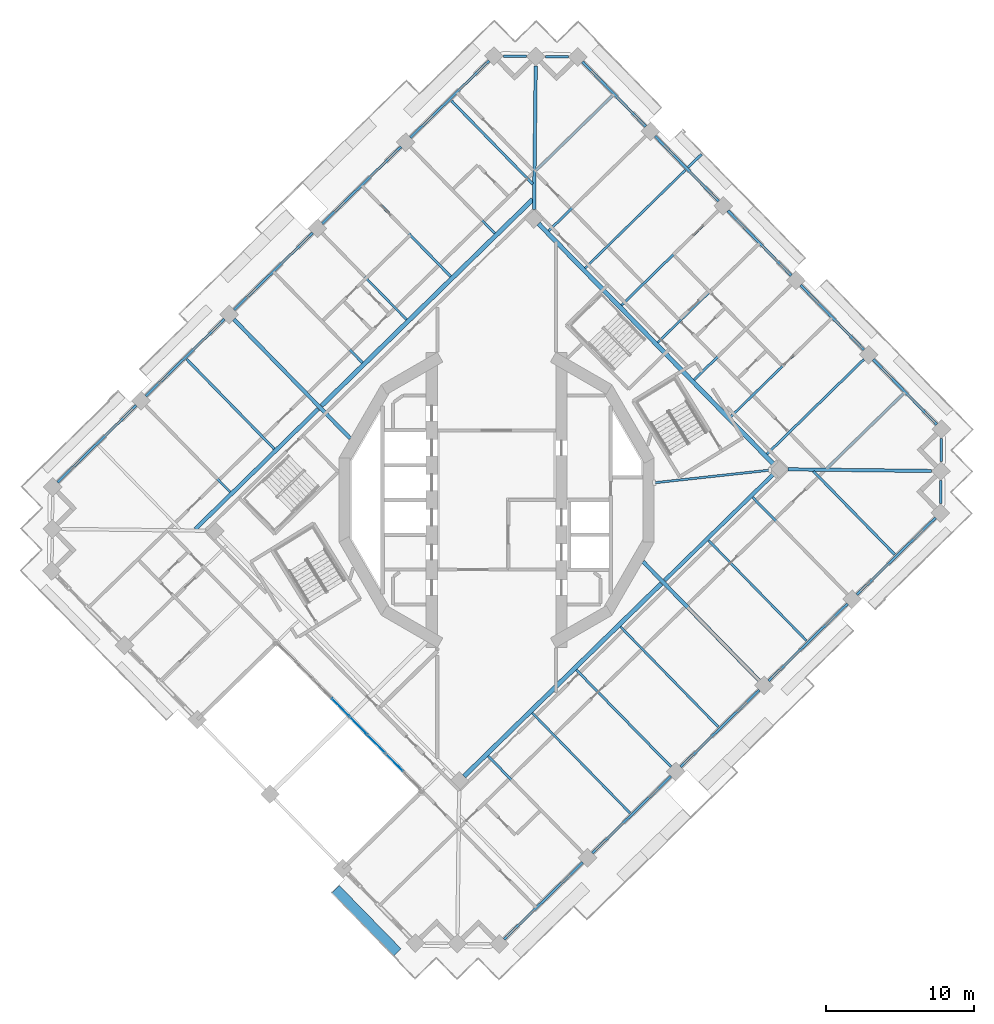
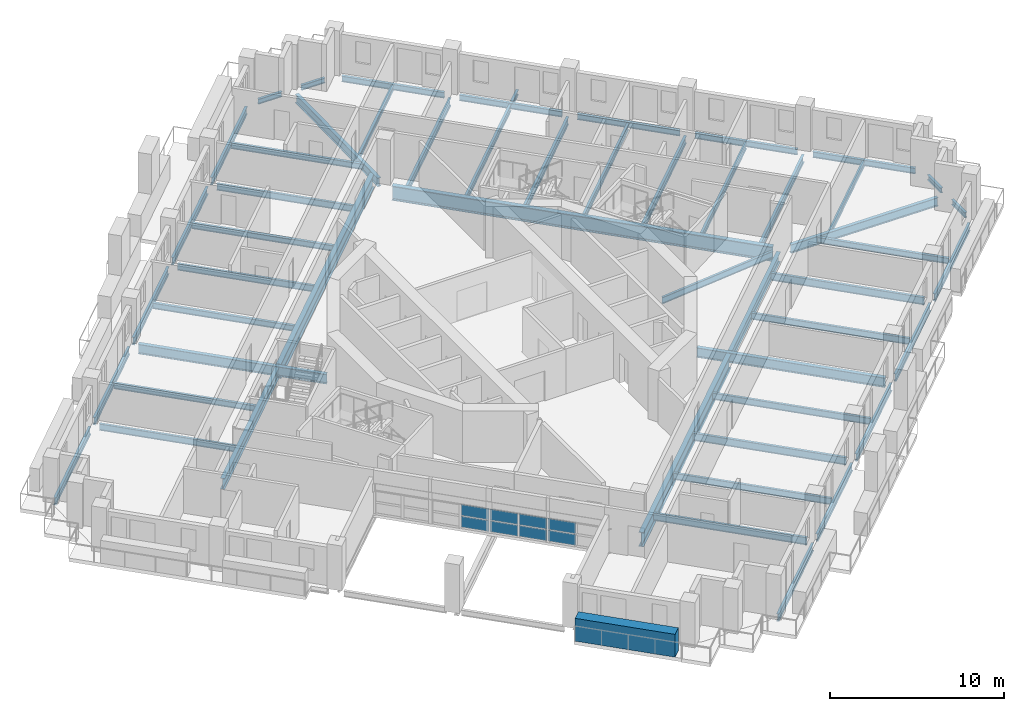
# One storey, part 4 of 19: 53 beams, 9 plates, 1 element without a shape of its own.
"""IFC4 building model written with IfcOpenShell, lengths in metres."""

from ifc_helpers import new_model, si_unit, direction, frame, origin, origin_2d, place, context, subcontext, project, spatial, rectangle, i_section, extrude, material, layer, layer_set, material_profile, profile_set, type_object, element, aggregate, save


model = new_model("IFC4")

# Units and contexts
model_context = context("Model", 3, precision=1e-05, world=origin(), true_north=direction((0.0, 1.0)))
body_context = subcontext(model_context, "Body", "Model", "MODEL_VIEW")
ifc_project = project(units=[si_unit("LENGTHUNIT", "METRE"), si_unit("AREAUNIT", "SQUARE_METRE"), si_unit("VOLUMEUNIT", "CUBIC_METRE"), si_unit("PLANEANGLEUNIT", "RADIAN"), si_unit("MASSUNIT", "GRAM", prefix="KILO")], contexts=[model_context])

# Site, building, storey
site_placement = place(None, origin())
site = spatial("IfcSite", under=ifc_project, at=site_placement, CompositionType="ELEMENT")
building_placement = place(site_placement, origin())
building = spatial("IfcBuilding", under=site, at=building_placement, Name="Cantera Rosa Tower", CompositionType="ELEMENT")
storey_placement = place(building_placement, frame((0.0, 0.0, 241.39990234375)))
storey = spatial("IfcBuildingStorey", under=building, at=storey_placement, Name="L53", CompositionType="ELEMENT", Elevation=241.39990234375)

# Beams
ifc_material_1 = material(Name="Steel ASTM A992 (Fy 345 MPa)", Category="steel")
ifc_material_profile_1 = material_profile(ifc_material_1, i_section(OverallWidth=0.302001953125, OverallDepth=1.010009765625, WebThickness=0.02099609375, FlangeThickness=0.0400390625, FilletRadius=0.030029296875, at=origin_2d()), Name="W1000X350")
ifc_profile_set_1 = profile_set([ifc_material_profile_1], Name="Steel ASTM A992 (Fy 345 MPa)")
beam_type_1 = type_object("IfcBeamType", Name="STEEL BEAM W1000X350", PredefinedType="BEAM", material=ifc_profile_set_1)
beam_1_placement = place(storey_placement, frame((-11.813232421875, 6.353271484375, -0.7548828125), z_axis=(0.715280810147, 0.698837150297, 0.0), x_axis=(-0.698837150297, 0.715280810147, 0.0)))
element("IfcBeam", 1, at=beam_1_placement, inside=storey, type_object=beam_type_1, Name="RB-Z4-02 L53", PredefinedType="BEAM", context=body_context, shape_type="SweptSolid", body=[
    extrude(i_section(OverallWidth=0.302001953125, OverallDepth=1.010009765625, WebThickness=0.02099609375, FlangeThickness=0.0400390625, FilletRadius=0.030029296875, at=origin_2d()), origin(), (0.0, 0.0, 1.0), 19.909912109375),
])
beam_2_placement = place(storey_placement, frame((-2.197021484375, -18.643310546875, -0.7548828125), z_axis=(0.715290925107, 0.698826797182, 0.0), x_axis=(-0.698826797182, 0.715290925107, 0.0)))
element("IfcBeam", 2, at=beam_2_placement, inside=storey, type_object=beam_type_1, Name="RB-Z4-03 L53", PredefinedType="BEAM", context=body_context, shape_type="SweptSolid", body=[
    extrude(i_section(OverallWidth=0.302001953125, OverallDepth=1.010009765625, WebThickness=0.02099609375, FlangeThickness=0.0400390625, FilletRadius=0.030029296875, at=origin_2d()), origin(), (0.0, 0.0, 1.0), 18.60986328125),
])
beam_3_placement = place(storey_placement, frame((18.69677734375, 2.39892578125, -0.7548828125), z_axis=(-0.698831294804, 0.715286530981, 0.0), x_axis=(-0.715286530981, -0.698831294804, 0.0)))
element("IfcBeam", 3, at=beam_3_placement, inside=storey, type_object=beam_type_1, Name="RB-Z4-05 L53", PredefinedType="BEAM", context=body_context, shape_type="SweptSolid", body=[
    extrude(i_section(OverallWidth=0.302001953125, OverallDepth=1.010009765625, WebThickness=0.02099609375, FlangeThickness=0.0400390625, FilletRadius=0.030029296875, at=origin_2d()), origin(), (0.0, 0.0, 1.0), 22.7001953125),
])
ifc_material_2 = material(Name="Steel ASTM A992 (Fy 345 MPa)", Category="steel")
ifc_material_profile_2 = material_profile(ifc_material_2, i_section(OverallWidth=0.154052734375, OverallDepth=0.4599609375, WebThickness=0.009033203125, FlangeThickness=0.015380859375, FilletRadius=0.01025390625, at=origin_2d()), Name="W460X68")
ifc_profile_set_2 = profile_set([ifc_material_profile_2], Name="Steel ASTM A992 (Fy 345 MPa)")
beam_type_2 = type_object("IfcBeamType", Name="STEEL BEAM W460X68", PredefinedType="BEAM", material=ifc_profile_set_2)
for number, where, z_axis, x_axis, name in (
    (4, (-5.818603515625, 23.81396484375, -0.47998046875), (0.698836133494, -0.715281803574, 0.0), (0.715281803574, 0.698836133494, 0.0), "G-Z4-05 L53"),
    (5, (-11.769775390625, 17.999755859375, -0.47998046875), (0.698836133494, -0.715281803574, 0.0), (0.715281803574, 0.698836133494, 0.0), "G-Z4-06 L53"),
    (6, (-23.672119140625, 6.37109375, -0.47998046875), (0.698836133494, -0.715281803574, 0.0), (0.715281803574, 0.698836133494, 0.0), "G-Z4-08 L53"),
):
    element("IfcBeam", number, at=place(storey_placement, frame(where, z_axis=z_axis, x_axis=x_axis)), inside=storey, type_object=beam_type_2, Name=name, PredefinedType="BEAM", context=body_context, shape_type="SweptSolid", body=[
        extrude(i_section(OverallWidth=0.154052734375, OverallDepth=0.4599609375, WebThickness=0.009033203125, FlangeThickness=0.015380859375, FilletRadius=0.01025390625, at=origin_2d()), origin(), (0.0, 0.0, 1.0), 8.150146484375),
    ])
beam_4_placement = place(storey_placement, frame((18.44287109375, 2.014892578125, -0.47998046875), z_axis=(-0.994086100692, -0.108594771563, 0.0), x_axis=(0.108594771563, -0.994086100692, 0.0)))
element("IfcBeam", 7, at=beam_4_placement, inside=storey, type_object=beam_type_2, Name="PG-Z4-01 L53", PredefinedType="BEAM", context=body_context, shape_type="SweptSolid", body=[
    extrude(i_section(OverallWidth=0.154052734375, OverallDepth=0.4599609375, WebThickness=0.009033203125, FlangeThickness=0.015380859375, FilletRadius=0.01025390625, at=origin_2d()), origin(), (0.0, 0.0, 1.0), 7.864013671875),
])
ifc_material_3 = material(Name="Steel ASTM A992 (Fy 345 MPa)", Category="steel")
ifc_material_profile_3 = material_profile(ifc_material_3, i_section(OverallWidth=0.166015625, OverallDepth=0.528076171875, WebThickness=0.009765625, FlangeThickness=0.013671875, FilletRadius=0.0126953125, at=origin_2d()), Name="W530X74")
ifc_profile_set_3 = profile_set([ifc_material_profile_3], Name="Steel ASTM A992 (Fy 345 MPa)")
beam_type_3 = type_object("IfcBeamType", Name="STEEL BEAM W530X74", PredefinedType="BEAM", material=ifc_profile_set_3)
for number, where, z_axis, x_axis, name in (
    (8, (24.77587890625, 9.484619140625, -0.513916015625), (-0.71529025682, -0.698827481213, 0.0), (0.698827481213, -0.71529025682, 0.0), "G-Z4-01 L53"),
    (9, (19.8701171875, 14.505859375, -0.513916015625), (-0.71529025682, -0.698827481213, 0.0), (0.698827481213, -0.71529025682, 0.0), "G-Z4-02 L53"),
    (10, (14.96435546875, 19.527099609375, -0.513916015625), (-0.71529025682, -0.698827481213, 0.0), (0.698827481213, -0.71529025682, 0.0), "G-Z4-03 L53"),
    (11, (10.05859375, 24.548583984375, -0.513916015625), (-0.71529025682, -0.698827481213, 0.0), (0.698827481213, -0.71529025682, 0.0), "G-Z4-04 L53"),
    (12, (5.818603515625, -23.81396484375, -0.513916015625), (-0.698827481213, 0.71529025682, 0.0), (-0.71529025682, -0.698827481213, 0.0), "G-Z4-09 L53"),
    (13, (11.769775390625, -17.999755859375, -0.513916015625), (-0.698827481213, 0.71529025682, 0.0), (-0.71529025682, -0.698827481213, 0.0), "G-Z4-10 L53"),
    (14, (23.672119140625, -6.37109375, -0.513916015625), (-0.698827481213, 0.71529025682, 0.0), (-0.71529025682, -0.698827481213, 0.0), "G-Z4-12 L53"),
):
    element("IfcBeam", number, at=place(storey_placement, frame(where, z_axis=z_axis, x_axis=x_axis)), inside=storey, type_object=beam_type_3, Name=name, PredefinedType="BEAM", context=body_context, shape_type="SweptSolid", body=[
        extrude(i_section(OverallWidth=0.166015625, OverallDepth=0.528076171875, WebThickness=0.009765625, FlangeThickness=0.013671875, FilletRadius=0.0126953125, at=origin_2d()), origin(), (0.0, 0.0, 1.0), 9.14990234375),
    ])
ifc_material_4 = material(Name="Steel ASTM A992 (Fy 345 MPa)", Category="steel")
ifc_material_profile_4 = material_profile(ifc_material_4, i_section(OverallWidth=0.22802734375, OverallDepth=0.60205078125, WebThickness=0.010498046875, FlangeThickness=0.014892578125, FilletRadius=0.0126953125, at=origin_2d()), Name="W610X101")
ifc_profile_set_4 = profile_set([ifc_material_profile_4], Name="Steel ASTM A992 (Fy 345 MPa)")
beam_type_4 = type_object("IfcBeamType", Name="STEEL BEAM W610X101", PredefinedType="BEAM", material=ifc_profile_set_4)
for number, where, z_axis, x_axis, name in (
    (15, (2.638916015625, 29.28076171875, -0.55078125), (-0.011618330597, -0.999932504919, 0.0), (0.999932504919, -0.011618330597, 0.0), "CB-Z4-01 L53"),
    (16, (29.334228515625, 1.95703125, -0.55078125), (-0.999932504919, 0.011618330597, 0.0), (-0.011618330597, -0.999932504919, 0.0), "CB-Z4-04 L53"),
):
    element("IfcBeam", number, at=place(storey_placement, frame(where, z_axis=z_axis, x_axis=x_axis)), inside=storey, type_object=beam_type_4, Name=name, PredefinedType="BEAM", context=body_context, shape_type="SweptSolid", body=[
        extrude(i_section(OverallWidth=0.22802734375, OverallDepth=0.60205078125, WebThickness=0.010498046875, FlangeThickness=0.014892578125, FilletRadius=0.0126953125, at=origin_2d()), origin(), (0.0, 0.0, 1.0), 9.687255859375),
    ])
ifc_material_5 = material(Name="Steel ASTM A992 (Fy 345 MPa)", Category="steel")
ifc_material_profile_5 = material_profile(ifc_material_5, i_section(OverallWidth=0.25390625, OverallDepth=0.677978515625, WebThickness=0.01171875, FlangeThickness=0.016357421875, FilletRadius=0.01513671875, at=origin_2d()), Name="W690X125")
ifc_profile_set_5 = profile_set([ifc_material_profile_5], Name="Steel ASTM A992 (Fy 345 MPa)")
beam_type_5 = type_object("IfcBeamType", Name="STEEL BEAM W690X125", PredefinedType="BEAM", material=ifc_profile_set_5)
for number, where, z_axis, x_axis, name in (
    (17, (-17.720947265625, 12.185302734375, -0.5888671875), (0.698831358516, -0.715286468734, 0.0), (0.715286468734, 0.698831358516, 0.0), "G-Z4-07 L53"),
    (18, (17.720947265625, -12.185302734375, -0.5888671875), (-0.698831358516, 0.715286468734, 0.0), (-0.715286468734, -0.698831358516, 0.0), "G-Z4-11 L53"),
):
    element("IfcBeam", number, at=place(storey_placement, frame(where, z_axis=z_axis, x_axis=x_axis)), inside=storey, type_object=beam_type_5, Name=name, PredefinedType="BEAM", context=body_context, shape_type="SweptSolid", body=[
        extrude(i_section(OverallWidth=0.25390625, OverallDepth=0.677978515625, WebThickness=0.01171875, FlangeThickness=0.016357421875, FilletRadius=0.01513671875, at=origin_2d()), origin(), (0.0, 0.0, 1.0), 11.2314453125),
    ])
beam_5_placement = place(storey_placement, frame((11.3291015625, -5.428466796875, -0.5888671875), z_axis=(0.715291776896, 0.698825925324, 0.0), x_axis=(-0.698825925324, 0.715291776896, 0.0)))
element("IfcBeam", 19, at=beam_5_placement, inside=storey, type_object=beam_type_5, Name="RB-Z4-04 L53", PredefinedType="BEAM", context=body_context, shape_type="SweptSolid", body=[
    extrude(i_section(OverallWidth=0.25390625, OverallDepth=0.677978515625, WebThickness=0.01171875, FlangeThickness=0.016357421875, FilletRadius=0.01513671875, at=origin_2d()), origin(), (0.0, 0.0, 1.0), 10.2900390625),
])
ifc_material_6 = material(Name="Steel ASTM A992 (Fy 345 MPa)", Category="steel")
ifc_material_profile_6 = material_profile(ifc_material_6, i_section(OverallWidth=0.26708984375, OverallDepth=0.75390625, WebThickness=0.01318359375, FlangeThickness=0.01708984375, FilletRadius=0.0166015625, at=origin_2d()), Name="W760X147")
ifc_profile_set_6 = profile_set([ifc_material_profile_6], Name="Steel ASTM A992 (Fy 345 MPa)")
beam_type_6 = type_object("IfcBeamType", Name="STEEL BEAM W760X147", PredefinedType="BEAM", material=ifc_profile_set_6)
beam_6_placement = place(storey_placement, frame((-20.318115234375, -1.955810546875, -0.626953125), z_axis=(0.715284592672, 0.698833278749, 0.0), x_axis=(-0.698833278749, 0.715284592672, 0.0)))
element("IfcBeam", 20, at=beam_6_placement, inside=storey, type_object=beam_type_6, Name="RB-Z4-01 L53", PredefinedType="BEAM", context=body_context, shape_type="SweptSolid", body=[
    extrude(i_section(OverallWidth=0.26708984375, OverallDepth=0.75390625, WebThickness=0.01318359375, FlangeThickness=0.01708984375, FilletRadius=0.0166015625, at=origin_2d()), origin(), (0.0, 0.0, 1.0), 11.590087890625),
])
ifc_material_7 = material(Name="Steel ASTM A992 (Fy 345 MPa)", Category="steel")
ifc_material_profile_7 = material_profile(ifc_material_7, i_section(OverallWidth=0.1708984375, OverallDepth=0.35595703125, WebThickness=0.00732421875, FlangeThickness=0.01171875, FilletRadius=0.010009765625, at=origin_2d()), Name="W360X51")
ifc_profile_set_7 = profile_set([ifc_material_profile_7], Name="Steel ASTM A992 (Fy 345 MPa)")
beam_type_7 = type_object("IfcBeamType", Name="STEEL JOIST W360X51", PredefinedType="JOIST", material=ifc_profile_set_7)
for number, where, z_axis, x_axis, name in (
    (21, (27.443359375, 7.18359375, -0.427978515625), (-0.715287213552, -0.69883059616, 0.0), (0.69883059616, -0.715287213552, 0.0), "B-Z4-01 L53"),
    (22, (7.8203125, 27.268798828125, -0.427978515625), (-0.715287213552, -0.69883059616, 0.0), (0.69883059616, -0.715287213552, 0.0), "B-Z4-05 L53"),
):
    element("IfcBeam", number, at=place(storey_placement, frame(where, z_axis=z_axis, x_axis=x_axis)), inside=storey, type_object=beam_type_7, Name=name, PredefinedType="JOIST", context=body_context, shape_type="SweptSolid", body=[
        extrude(i_section(OverallWidth=0.1708984375, OverallDepth=0.35595703125, WebThickness=0.00732421875, FlangeThickness=0.01171875, FilletRadius=0.010009765625, at=origin_2d()), origin(), (0.0, 0.0, 1.0), 7.2099609375),
    ])
beam_7_placement = place(storey_placement, frame((12.92626953125, 22.443115234375, -0.427978515625), z_axis=(0.715262642927, 0.698855744509, 0.0), x_axis=(-0.698855744509, 0.715262642927, 0.0)))
element("IfcBeam", 23, at=beam_7_placement, inside=storey, type_object=beam_type_7, Name="BS-Z4-19 L53", PredefinedType="JOIST", context=body_context, shape_type="SweptSolid", body=[
    extrude(i_section(OverallWidth=0.1708984375, OverallDepth=0.35595703125, WebThickness=0.00732421875, FlangeThickness=0.01171875, FilletRadius=0.010009765625, at=origin_2d()), origin(), (0.0, 0.0, 1.0), 1.25),
])
ifc_material_8 = material(Name="Steel ASTM A992 (Fy 345 MPa)", Category="steel")
ifc_material_profile_8 = material_profile(ifc_material_8, i_section(OverallWidth=0.177978515625, OverallDepth=0.406005859375, WebThickness=0.0078125, FlangeThickness=0.0126953125, FilletRadius=0.01025390625, at=origin_2d()), Name="W410X60")
ifc_profile_set_8 = profile_set([ifc_material_profile_8], Name="Steel ASTM A992 (Fy 345 MPa)")
beam_type_8 = type_object("IfcBeamType", Name="STEEL JOIST W410X60", PredefinedType="JOIST", material=ifc_profile_set_8)
beam_8_placement = place(storey_placement, frame((-3.052734375, 26.935791015625, -0.452880859375), z_axis=(0.698827868311, -0.715289878631, 0.0), x_axis=(0.715289878631, 0.698827868311, 0.0)))
element("IfcBeam", 24, at=beam_8_placement, inside=storey, type_object=beam_type_8, Name="B-Z4-06 L53", PredefinedType="JOIST", context=body_context, shape_type="SweptSolid", body=[
    extrude(i_section(OverallWidth=0.177978515625, OverallDepth=0.406005859375, WebThickness=0.0078125, FlangeThickness=0.0126953125, FilletRadius=0.01025390625, at=origin_2d()), origin(), (0.0, 0.0, 1.0), 7.860107421875),
])
for number, where, z_axis, x_axis, name in (
    (25, (-9.00390625, 21.121337890625, -0.452880859375), (0.698839235604, -0.715278772774, 0.0), (0.715278772774, 0.698839235604, 0.0), "B-Z4-07 L53"),
    (26, (-14.955078125, 15.30712890625, -0.452880859375), (0.698839235604, -0.715278772774, 0.0), (0.715278772774, 0.698839235604, 0.0), "B-Z4-08 L53"),
    (27, (-20.90625, 9.492919921875, -0.452880859375), (0.698839235604, -0.715278772774, 0.0), (0.715278772774, 0.698839235604, 0.0), "B-Z4-09 L53"),
):
    element("IfcBeam", number, at=place(storey_placement, frame(where, z_axis=z_axis, x_axis=x_axis)), inside=storey, type_object=beam_type_8, Name=name, PredefinedType="JOIST", context=body_context, shape_type="SweptSolid", body=[
        extrude(i_section(OverallWidth=0.177978515625, OverallDepth=0.406005859375, WebThickness=0.0078125, FlangeThickness=0.0126953125, FilletRadius=0.01025390625, at=origin_2d()), origin(), (0.0, 0.0, 1.0), 8.4501953125),
    ])
beam_9_placement = place(storey_placement, frame((26.857421875, -3.678466796875, -0.452880859375), z_axis=(-0.698843394481, 0.715274709458, 0.0), x_axis=(-0.715274709458, -0.698843394481, 0.0)))
element("IfcBeam", 28, at=beam_9_placement, inside=storey, type_object=beam_type_8, Name="B-Z4-15 L53", PredefinedType="JOIST", context=body_context, shape_type="SweptSolid", body=[
    extrude(i_section(OverallWidth=0.177978515625, OverallDepth=0.406005859375, WebThickness=0.0078125, FlangeThickness=0.0126953125, FilletRadius=0.01025390625, at=origin_2d()), origin(), (0.0, 0.0, 1.0), 7.860107421875),
])
ifc_material_9 = material(Name="Steel ASTM A992 (Fy 345 MPa)", Category="steel")
ifc_material_profile_9 = material_profile(ifc_material_9, i_section(OverallWidth=0.154052734375, OverallDepth=0.4599609375, WebThickness=0.009033203125, FlangeThickness=0.015380859375, FilletRadius=0.01025390625, at=origin_2d()), Name="W460X68")
ifc_profile_set_9 = profile_set([ifc_material_profile_9], Name="Steel ASTM A992 (Fy 345 MPa)")
beam_type_9 = type_object("IfcBeamType", Name="STEEL JOIST W460X68", PredefinedType="JOIST", material=ifc_profile_set_9)
for number, where, z_axis, x_axis, name in (
    (29, (22.53759765625, 12.204833984375, -0.47998046875), (-0.715287278354, -0.698830529832, 0.0), (0.698830529832, -0.715287278354, 0.0), "B-Z4-02 L53"),
    (30, (17.6318359375, 17.226318359375, -0.47998046875), (-0.715287278354, -0.698830529832, 0.0), (0.698830529832, -0.715287278354, 0.0), "B-Z4-03 L53"),
    (31, (12.72607421875, 22.24755859375, -0.47998046875), (-0.715287278354, -0.698830529832, 0.0), (0.698830529832, -0.715287278354, 0.0), "B-Z4-04 L53"),
):
    element("IfcBeam", number, at=place(storey_placement, frame(where, z_axis=z_axis, x_axis=x_axis)), inside=storey, type_object=beam_type_9, Name=name, PredefinedType="JOIST", context=body_context, shape_type="SweptSolid", body=[
        extrude(i_section(OverallWidth=0.154052734375, OverallDepth=0.4599609375, WebThickness=0.009033203125, FlangeThickness=0.015380859375, FilletRadius=0.01025390625, at=origin_2d()), origin(), (0.0, 0.0, 1.0), 9.4501953125),
    ])
beam_10_placement = place(storey_placement, frame((9.00390625, -21.121337890625, -0.47998046875), z_axis=(-0.698843443844, 0.715274661229, 0.0), x_axis=(-0.715274661229, -0.698843443844, 0.0)))
element("IfcBeam", 32, at=beam_10_placement, inside=storey, type_object=beam_type_9, Name="B-Z4-12 L53", PredefinedType="JOIST", context=body_context, shape_type="SweptSolid", body=[
    extrude(i_section(OverallWidth=0.154052734375, OverallDepth=0.4599609375, WebThickness=0.009033203125, FlangeThickness=0.015380859375, FilletRadius=0.01025390625, at=origin_2d()), origin(), (0.0, 0.0, 1.0), 9.449951171875),
])
for number, where, z_axis, x_axis, name in (
    (33, (14.955078125, -15.30712890625, -0.47998046875), (-0.698830529832, 0.715287278354, 0.0), (-0.715287278354, -0.698830529832, 0.0), "B-Z4-13 L53"),
    (34, (20.90625, -9.492919921875, -0.47998046875), (-0.698830529832, 0.715287278354, 0.0), (-0.715287278354, -0.698830529832, 0.0), "B-Z4-14 L53"),
):
    element("IfcBeam", number, at=place(storey_placement, frame(where, z_axis=z_axis, x_axis=x_axis)), inside=storey, type_object=beam_type_9, Name=name, PredefinedType="JOIST", context=body_context, shape_type="SweptSolid", body=[
        extrude(i_section(OverallWidth=0.154052734375, OverallDepth=0.4599609375, WebThickness=0.009033203125, FlangeThickness=0.015380859375, FilletRadius=0.01025390625, at=origin_2d()), origin(), (0.0, 0.0, 1.0), 9.4501953125),
    ])
ifc_material_10 = material(Name="Steel ASTM A992 (Fy 345 MPa)", Category="steel")
ifc_material_profile_10 = material_profile(ifc_material_10, i_section(OverallWidth=0.1708984375, OverallDepth=0.35595703125, WebThickness=0.00732421875, FlangeThickness=0.01171875, FilletRadius=0.010009765625, at=origin_2d()), Name="W360X51")
ifc_profile_set_10 = profile_set([ifc_material_profile_10], Name="Steel ASTM A992 (Fy 345 MPa)")
beam_type_10 = type_object("IfcBeamType", Name="STEEL SPANDREL BEAM W360X51", PredefinedType="SPANDREL", material=ifc_profile_set_10)
for number, where, z_axis, x_axis, name in (
    (35, (4.838134765625, 29.8916015625, -0.427978515625), (-0.999930716123, 0.011771276677, 0.0), (-0.011771276677, -0.999930716123, 0.0), "EB-Z4-06 L53"),
    (36, (2.010009765625, 29.924560546875, -0.427978515625), (-0.99993255119, 0.011614347636, 0.0), (-0.011614347636, -0.99993255119, 0.0), "EB-Z4-07 L53"),
):
    element("IfcBeam", number, at=place(storey_placement, frame(where, z_axis=z_axis, x_axis=x_axis)), inside=storey, type_object=beam_type_10, Name=name, PredefinedType="SPANDREL", context=body_context, shape_type="SweptSolid", body=[
        extrude(i_section(OverallWidth=0.1708984375, OverallDepth=0.35595703125, WebThickness=0.00732421875, FlangeThickness=0.01171875, FilletRadius=0.010009765625, at=origin_2d()), origin(), (0.0, 0.0, 1.0), 1.555419921875),
    ])
beam_11_placement = place(storey_placement, frame((29.945068359375, -0.242431640625, -0.427978515625), z_axis=(0.011769429589, 0.999930737865, 0.0), x_axis=(-0.999930737865, 0.011769429589, 0.0)))
element("IfcBeam", 37, at=beam_11_placement, inside=storey, type_object=beam_type_10, Name="EB-Z4-27 L53", PredefinedType="SPANDREL", context=body_context, shape_type="SweptSolid", body=[
    extrude(i_section(OverallWidth=0.1708984375, OverallDepth=0.35595703125, WebThickness=0.00732421875, FlangeThickness=0.01171875, FilletRadius=0.010009765625, at=origin_2d()), origin(), (0.0, 0.0, 1.0), 1.5556640625),
])
beam_12_placement = place(storey_placement, frame((29.97802734375, 2.5859375, -0.427978515625), z_axis=(0.011614347636, 0.99993255119, 0.0), x_axis=(-0.99993255119, 0.011614347636, 0.0)))
element("IfcBeam", 38, at=beam_12_placement, inside=storey, type_object=beam_type_10, Name="EB-Z4-28 L53", PredefinedType="SPANDREL", context=body_context, shape_type="SweptSolid", body=[
    extrude(i_section(OverallWidth=0.1708984375, OverallDepth=0.35595703125, WebThickness=0.00732421875, FlangeThickness=0.01171875, FilletRadius=0.010009765625, at=origin_2d()), origin(), (0.0, 0.0, 1.0), 1.555419921875),
])
ifc_material_11 = material(Name="Steel ASTM A992 (Fy 345 MPa)", Category="steel")
ifc_material_profile_11 = material_profile(ifc_material_11, i_section(OverallWidth=0.177978515625, OverallDepth=0.406005859375, WebThickness=0.0078125, FlangeThickness=0.0126953125, FilletRadius=0.01025390625, at=origin_2d()), Name="W410X60")
ifc_profile_set_11 = profile_set([ifc_material_profile_11], Name="Steel ASTM A992 (Fy 345 MPa)")
beam_type_11 = type_object("IfcBeamType", Name="STEEL SPANDREL BEAM W410X60", PredefinedType="SPANDREL", material=ifc_profile_set_11)
beam_13_placement = place(storey_placement, frame((29.689208984375, 5.099609375, -0.452880859375), z_axis=(-0.69882117953, 0.715296413412, 0.0), x_axis=(-0.715296413412, -0.69882117953, 0.0)))
element("IfcBeam", 39, at=beam_13_placement, inside=storey, type_object=beam_type_11, Name="EB-Z4-01 L53", PredefinedType="SPANDREL", context=body_context, shape_type="SweptSolid", body=[
    extrude(i_section(OverallWidth=0.177978515625, OverallDepth=0.406005859375, WebThickness=0.0078125, FlangeThickness=0.0126953125, FilletRadius=0.01025390625, at=origin_2d()), origin(), (0.0, 0.0, 1.0), 6.1201171875),
])
for number, where, z_axis, x_axis, name in (
    (40, (24.783203125, 10.120849609375, -0.452880859375), (-0.698800768177, 0.715316354067, 0.0), (-0.715316354067, -0.698800768177, 0.0), "EB-Z4-02 L53"),
    (41, (19.87744140625, 15.142333984375, -0.452880859375), (-0.698841120217, 0.71527693147, 0.0), (-0.71527693147, -0.698841120217, 0.0), "EB-Z4-03 L53"),
    (42, (14.9716796875, 20.16357421875, -0.452880859375), (-0.698841120217, 0.71527693147, 0.0), (-0.71527693147, -0.698841120217, 0.0), "EB-Z4-04 L53"),
):
    element("IfcBeam", number, at=place(storey_placement, frame(where, z_axis=z_axis, x_axis=x_axis)), inside=storey, type_object=beam_type_11, Name=name, PredefinedType="SPANDREL", context=body_context, shape_type="SweptSolid", body=[
        extrude(i_section(OverallWidth=0.177978515625, OverallDepth=0.406005859375, WebThickness=0.0078125, FlangeThickness=0.0126953125, FilletRadius=0.01025390625, at=origin_2d()), origin(), (0.0, 0.0, 1.0), 6.119873046875),
    ])
beam_14_placement = place(storey_placement, frame((10.06591796875, 25.184814453125, -0.452880859375), z_axis=(-0.69882117953, 0.715296413412, 0.0), x_axis=(-0.715296413412, -0.69882117953, 0.0)))
element("IfcBeam", 43, at=beam_14_placement, inside=storey, type_object=beam_type_11, Name="EB-Z4-05 L53", PredefinedType="SPANDREL", context=body_context, shape_type="SweptSolid", body=[
    extrude(i_section(OverallWidth=0.177978515625, OverallDepth=0.406005859375, WebThickness=0.0078125, FlangeThickness=0.0126953125, FilletRadius=0.01025390625, at=origin_2d()), origin(), (0.0, 0.0, 1.0), 6.1201171875),
])
ifc_material_12 = material(Name="Steel ASTM A992 (Fy 345 MPa)", Category="steel")
ifc_material_profile_12 = material_profile(ifc_material_12, i_section(OverallWidth=0.166015625, OverallDepth=0.528076171875, WebThickness=0.009765625, FlangeThickness=0.013671875, FilletRadius=0.0126953125, at=origin_2d()), Name="W530X74")
ifc_profile_set_12 = profile_set([ifc_material_profile_12], Name="Steel ASTM A992 (Fy 345 MPa)")
beam_type_12 = type_object("IfcBeamType", Name="STEEL SPANDREL BEAM W530X74", PredefinedType="SPANDREL", material=ifc_profile_set_12)
beam_15_placement = place(storey_placement, frame((-0.503662109375, 29.6357421875, -0.513916015625), z_axis=(-0.715284379566, -0.698833496871, 0.0), x_axis=(0.698833496871, -0.715284379566, 0.0)))
element("IfcBeam", 44, at=beam_15_placement, inside=storey, type_object=beam_type_12, Name="EB-Z4-08 L53", PredefinedType="SPANDREL", context=body_context, shape_type="SweptSolid", body=[
    extrude(i_section(OverallWidth=0.166015625, OverallDepth=0.528076171875, WebThickness=0.009765625, FlangeThickness=0.013671875, FilletRadius=0.0126953125, at=origin_2d()), origin(), (0.0, 0.0, 1.0), 7.42041015625),
])
for number, where, z_axis, x_axis, name in (
    (45, (-6.454833984375, 23.8212890625, -0.513916015625), (-0.715300826176, -0.698816662703, 0.0), (0.698816662703, -0.715300826176, 0.0), "EB-Z4-09 L53"),
    (46, (-12.406005859375, 18.007080078125, -0.513916015625), (-0.715300826176, -0.698816662703, 0.0), (0.698816662703, -0.715300826176, 0.0), "EB-Z4-10 L53"),
    (47, (-18.357177734375, 12.19287109375, -0.513916015625), (-0.715300826176, -0.698816662703, 0.0), (0.698816662703, -0.715300826176, 0.0), "EB-Z4-11 L53"),
    (48, (-24.308349609375, 6.37841796875, -0.513916015625), (-0.715300826176, -0.698816662703, 0.0), (0.698816662703, -0.715300826176, 0.0), "EB-Z4-12 L53"),
):
    element("IfcBeam", number, at=place(storey_placement, frame(where, z_axis=z_axis, x_axis=x_axis)), inside=storey, type_object=beam_type_12, Name=name, PredefinedType="SPANDREL", context=body_context, shape_type="SweptSolid", body=[
        extrude(i_section(OverallWidth=0.166015625, OverallDepth=0.528076171875, WebThickness=0.009765625, FlangeThickness=0.013671875, FilletRadius=0.0126953125, at=origin_2d()), origin(), (0.0, 0.0, 1.0), 7.420166015625),
    ])
beam_16_placement = place(storey_placement, frame((0.503662109375, -29.6357421875, -0.513916015625), z_axis=(0.715284379566, 0.698833496871, 0.0), x_axis=(-0.698833496871, 0.715284379566, 0.0)))
element("IfcBeam", 49, at=beam_16_placement, inside=storey, type_object=beam_type_12, Name="EB-Z4-22 L53", PredefinedType="SPANDREL", context=body_context, shape_type="SweptSolid", body=[
    extrude(i_section(OverallWidth=0.166015625, OverallDepth=0.528076171875, WebThickness=0.009765625, FlangeThickness=0.013671875, FilletRadius=0.0126953125, at=origin_2d()), origin(), (0.0, 0.0, 1.0), 7.42041015625),
])
for number, where, z_axis, x_axis, name in (
    (50, (6.454833984375, -23.8212890625, -0.513916015625), (0.715300826176, 0.698816662703, 0.0), (-0.698816662703, 0.715300826176, 0.0), "EB-Z4-23 L53"),
    (51, (12.406005859375, -18.007080078125, -0.513916015625), (0.715300826176, 0.698816662703, 0.0), (-0.698816662703, 0.715300826176, 0.0), "EB-Z4-24 L53"),
    (52, (18.357177734375, -12.19287109375, -0.513916015625), (0.715300826176, 0.698816662703, 0.0), (-0.698816662703, 0.715300826176, 0.0), "EB-Z4-25 L53"),
    (53, (24.308349609375, -6.37841796875, -0.513916015625), (0.715300826176, 0.698816662703, 0.0), (-0.698816662703, 0.715300826176, 0.0), "EB-Z4-26 L53"),
):
    element("IfcBeam", number, at=place(storey_placement, frame(where, z_axis=z_axis, x_axis=x_axis)), inside=storey, type_object=beam_type_12, Name=name, PredefinedType="SPANDREL", context=body_context, shape_type="SweptSolid", body=[
        extrude(i_section(OverallWidth=0.166015625, OverallDepth=0.528076171875, WebThickness=0.009765625, FlangeThickness=0.013671875, FilletRadius=0.0126953125, at=origin_2d()), origin(), (0.0, 0.0, 1.0), 7.420166015625),
    ])

# Curtain wall, plates
ifc_material_13 = material(Name="Aluminium frame with clear glass", Category="aluminium")
curtain_wall_type = type_object("IfcCurtainWallType", Name="CW1 TERRACE POCKET GLAZING", PredefinedType="NOTDEFINED", material=ifc_material_13)
curtain_wall_placement = place(storey_placement, origin())
curtain_wall = element("IfcCurtainWall", 54, at=curtain_wall_placement, inside=storey, type_object=curtain_wall_type, Name="CW1 CW1", PredefinedType="NOTDEFINED")
ifc_material_14 = material(Name="Aluminium frame with clear glass", Category="aluminium")
ifc_layer = layer(ifc_material_14, 0.028076171875)
ifc_layer_set = layer_set([ifc_layer], Name="CW-PANEL POCKET")
plate_type_1 = type_object("IfcPlateType", Name="CW-PANEL POCKET", PredefinedType="CURTAIN_PANEL", material=ifc_layer_set)
plate_1_placement = place(storey_placement, frame((-10.52392578125, -13.98388671875, 0.06005859375), z_axis=(0.0, 0.0, 1.0), x_axis=(0.698831540376, -0.715286291058, 0.0)))
plate_1 = element("IfcPlate", 55, at=plate_1_placement, type_object=plate_type_1, Name="CW1 panel 4.1", PredefinedType="CURTAIN_PANEL", context=body_context, shape_type="SweptSolid", body=[
    extrude(rectangle(XDim=1.663818359375, YDim=0.028076171875, at=origin_2d()), origin(), (0.0, 0.0, 1.0), 0.761962890625),
])
plate_2_placement = place(storey_placement, frame((-10.52392578125, -13.98388671875, 0.88232421875), z_axis=(0.0, 0.0, 1.0), x_axis=(0.698831540376, -0.715286291058, 0.0)))
plate_2 = element("IfcPlate", 56, at=plate_2_placement, type_object=plate_type_1, Name="CW1 panel 4.2", PredefinedType="CURTAIN_PANEL", context=body_context, shape_type="SweptSolid", body=[
    extrude(rectangle(XDim=1.663818359375, YDim=0.028076171875, at=origin_2d()), origin(), (0.0, 0.0, 1.0), 0.761962890625),
])
plate_3_placement = place(storey_placement, frame((-9.3193359375, -15.217041015625, 0.06005859375), z_axis=(0.0, 0.0, 1.0), x_axis=(0.698831540376, -0.715286291058, 0.0)))
plate_3 = element("IfcPlate", 57, at=plate_3_placement, type_object=plate_type_1, Name="CW1 panel 5.1", PredefinedType="CURTAIN_PANEL", context=body_context, shape_type="SweptSolid", body=[
    extrude(rectangle(XDim=1.663818359375, YDim=0.028076171875, at=origin_2d()), origin(), (0.0, 0.0, 1.0), 0.761962890625),
])
plate_4_placement = place(storey_placement, frame((-9.3193359375, -15.217041015625, 0.88232421875), z_axis=(0.0, 0.0, 1.0), x_axis=(0.698831540376, -0.715286291058, 0.0)))
plate_4 = element("IfcPlate", 58, at=plate_4_placement, type_object=plate_type_1, Name="CW1 panel 5.2", PredefinedType="CURTAIN_PANEL", context=body_context, shape_type="SweptSolid", body=[
    extrude(rectangle(XDim=1.663818359375, YDim=0.028076171875, at=origin_2d()), origin(), (0.0, 0.0, 1.0), 0.761962890625),
])
plate_5_placement = place(storey_placement, frame((-8.11474609375, -16.449951171875, 0.06005859375), z_axis=(0.0, 0.0, 1.0), x_axis=(0.698831540376, -0.715286291058, 0.0)))
plate_5 = element("IfcPlate", 59, at=plate_5_placement, type_object=plate_type_1, Name="CW1 panel 6.1", PredefinedType="CURTAIN_PANEL", context=body_context, shape_type="SweptSolid", body=[
    extrude(rectangle(XDim=1.663818359375, YDim=0.028076171875, at=origin_2d()), origin(), (0.0, 0.0, 1.0), 0.761962890625),
])
plate_6_placement = place(storey_placement, frame((-8.11474609375, -16.449951171875, 0.88232421875), z_axis=(0.0, 0.0, 1.0), x_axis=(0.698831540376, -0.715286291058, 0.0)))
plate_6 = element("IfcPlate", 60, at=plate_6_placement, type_object=plate_type_1, Name="CW1 panel 6.2", PredefinedType="CURTAIN_PANEL", context=body_context, shape_type="SweptSolid", body=[
    extrude(rectangle(XDim=1.663818359375, YDim=0.028076171875, at=origin_2d()), origin(), (0.0, 0.0, 1.0), 0.761962890625),
])
plate_7_placement = place(storey_placement, frame((-6.909912109375, -17.682861328125, 0.06005859375), z_axis=(0.0, 0.0, 1.0), x_axis=(0.698831540376, -0.715286291058, 0.0)))
plate_7 = element("IfcPlate", 61, at=plate_7_placement, type_object=plate_type_1, Name="CW1 panel 7.1", PredefinedType="CURTAIN_PANEL", context=body_context, shape_type="SweptSolid", body=[
    extrude(rectangle(XDim=1.663818359375, YDim=0.028076171875, at=origin_2d()), origin(), (0.0, 0.0, 1.0), 0.761962890625),
])
plate_8_placement = place(storey_placement, frame((-6.909912109375, -17.682861328125, 0.88232421875), z_axis=(0.0, 0.0, 1.0), x_axis=(0.698831540376, -0.715286291058, 0.0)))
plate_8 = element("IfcPlate", 62, at=plate_8_placement, type_object=plate_type_1, Name="CW1 panel 7.2", PredefinedType="CURTAIN_PANEL", context=body_context, shape_type="SweptSolid", body=[
    extrude(rectangle(XDim=1.663818359375, YDim=0.028076171875, at=origin_2d()), origin(), (0.0, 0.0, 1.0), 0.761962890625),
])
aggregate(curtain_wall, [plate_1, plate_2, plate_3, plate_4, plate_5, plate_6, plate_7, plate_8])

# Plate
ifc_material_15 = material(Name="Cantera stone planter with soil", Category="masonry")
plate_type_2 = type_object("IfcPlateType", Name="PLANTER 700", PredefinedType="USERDEFINED", material=ifc_material_15)
plate_9_placement = place(storey_placement, frame((-8.778564453125, -28.3798828125, 0.0), z_axis=(0.0, 0.0, 1.0), x_axis=(0.698831540364, -0.71528629107, 0.0)))
element("IfcPlate", 63, at=plate_9_placement, inside=storey, type_object=plate_type_2, Name="PLANTER L53-15", ObjectType="PLANTER", PredefinedType="USERDEFINED", context=body_context, shape_type="SweptSolid", body=[
    extrude(rectangle(XDim=5.969970703125, YDim=0.699951171875, at=origin_2d()), origin(), (0.0, 0.0, 1.0), 1.60009765625),
])

save(model, "model.ifc")
